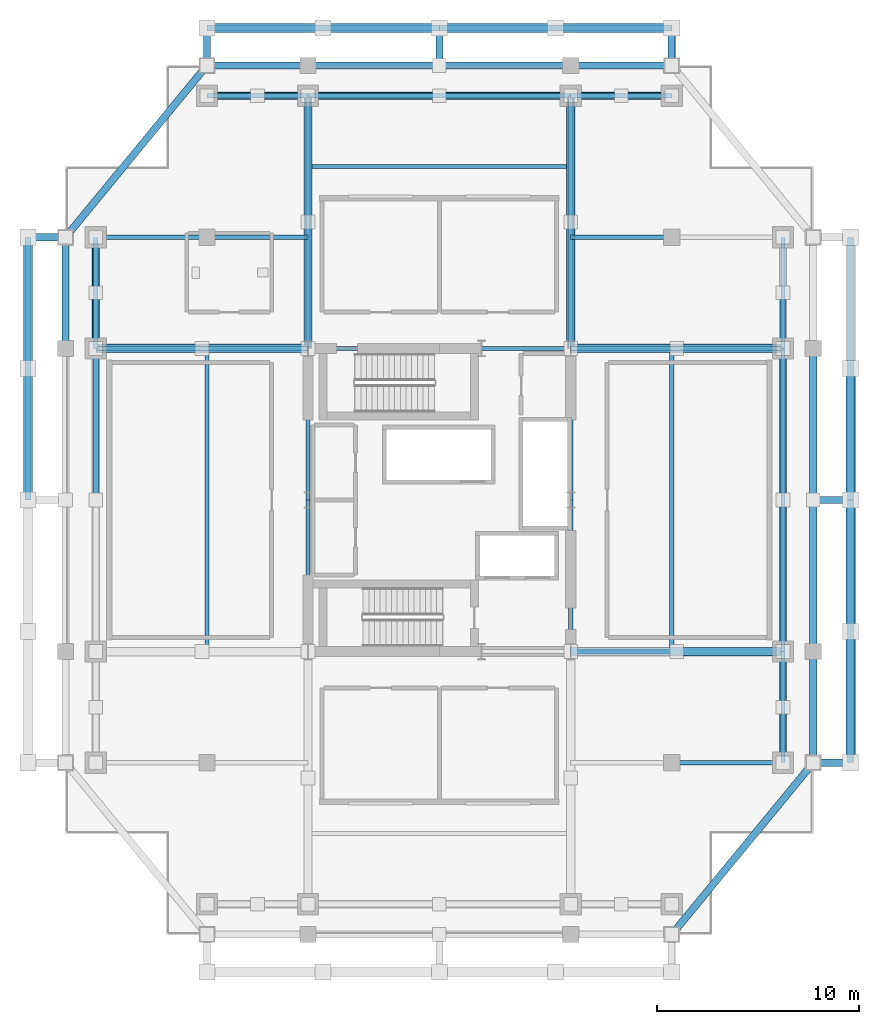
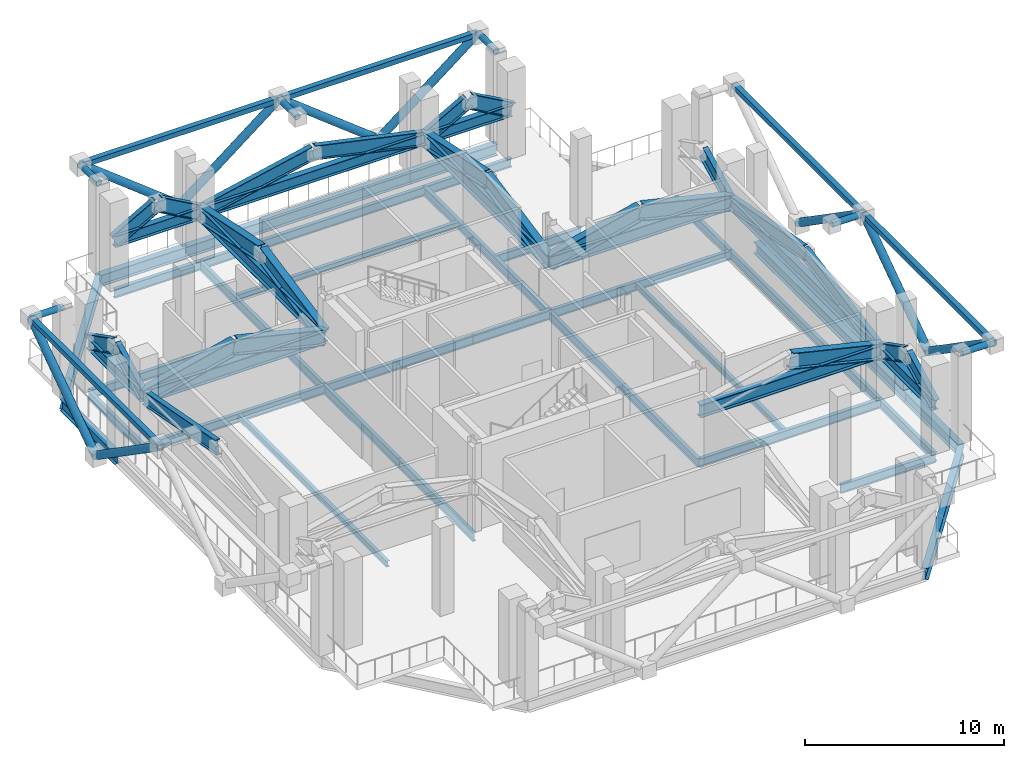
# One storey, part 2 of 9: 54 members, 33 beams.
"""IFC4 building model written with IfcOpenShell, lengths in metres."""

from ifc_helpers import new_model, si_unit, direction, frame, origin, origin_2d, place, context, subcontext, project, spatial, hollow_rectangle, hollow_circle, i_section, extrude, material, material_profile, profile_set, type_object, element, save


model = new_model("IFC4")

# Units and contexts
model_context = context("Model", 3, precision=1e-05, world=origin(), true_north=direction((0.0, 1.0)))
body_context = subcontext(model_context, "Body", "Model", "MODEL_VIEW")
ifc_project = project(units=[si_unit("LENGTHUNIT", "METRE"), si_unit("AREAUNIT", "SQUARE_METRE"), si_unit("VOLUMEUNIT", "CUBIC_METRE"), si_unit("PLANEANGLEUNIT", "RADIAN"), si_unit("MASSUNIT", "GRAM", prefix="KILO")], contexts=[model_context])

# Site, building, storey
site_placement = place(None, origin())
site = spatial("IfcSite", under=ifc_project, at=site_placement, CompositionType="ELEMENT")
building_placement = place(site_placement, origin())
building = spatial("IfcBuilding", under=site, at=building_placement, Name="Barlavira Tower and Art Museum", CompositionType="ELEMENT")
storey_placement = place(building_placement, frame((0.0, 0.0, 212.39990234375)))
storey = spatial("IfcBuildingStorey", under=building, at=storey_placement, Name="L55", CompositionType="ELEMENT", Elevation=212.39990234375)

# Members
ifc_material = material(Name="Steel S355", Category="steel")
ifc_material_profile_1 = material_profile(ifc_material, i_section(OverallWidth=0.35595703125, OverallDepth=0.695068359375, WebThickness=0.014892578125, FlangeThickness=0.023681640625, at=origin_2d()), Name="W690x192.0")
ifc_profile_set_1 = profile_set([ifc_material_profile_1], Name="Steel S355")
member_type_1 = type_object("IfcMemberType", Name="Belt Truss Chord Member W690x192 Steel S355", PredefinedType="CHORD", material=ifc_profile_set_1)
member_1_placement = place(storey_placement, frame((-11.5, 20.0, 2.650146484375), z_axis=(1.0, 0.0, 0.0), x_axis=(0.0, 1.0, 0.0)))
element("IfcMember", 1, at=member_1_placement, inside=storey, type_object=member_type_1, Name="L55 Belt Truss Bottom Chord BN1", PredefinedType="CHORD", context=body_context, shape_type="SweptSolid", body=[
    extrude(i_section(OverallWidth=0.35595703125, OverallDepth=0.695068359375, WebThickness=0.014892578125, FlangeThickness=0.023681640625, at=origin_2d()), origin(), (0.0, 0.0, 1.0), 5.0),
])
member_2_placement = place(storey_placement, frame((-6.5, 20.0, 2.650146484375), z_axis=(1.0, 0.0, 0.0), x_axis=(0.0, 1.0, 0.0)))
element("IfcMember", 2, at=member_2_placement, inside=storey, type_object=member_type_1, Name="L55 Belt Truss Bottom Chord BN2", PredefinedType="CHORD", context=body_context, shape_type="SweptSolid", body=[
    extrude(i_section(OverallWidth=0.35595703125, OverallDepth=0.695068359375, WebThickness=0.014892578125, FlangeThickness=0.023681640625, at=origin_2d()), origin(), (0.0, 0.0, 1.0), 13.0),
])
member_3_placement = place(storey_placement, frame((6.5, 20.0, 2.650146484375), z_axis=(1.0, 0.0, 0.0), x_axis=(0.0, 1.0, 0.0)))
element("IfcMember", 3, at=member_3_placement, inside=storey, type_object=member_type_1, Name="L55 Belt Truss Bottom Chord BN3", PredefinedType="CHORD", context=body_context, shape_type="SweptSolid", body=[
    extrude(i_section(OverallWidth=0.35595703125, OverallDepth=0.695068359375, WebThickness=0.014892578125, FlangeThickness=0.023681640625, at=origin_2d()), origin(), (0.0, 0.0, 1.0), 5.0),
])
for number, where, z_axis, x_axis, name in (
    (4, (-17.0, 7.5, 2.650146484375), (0.0, 1.0, 0.0), (-1.0, 0.0, 0.0), "L55 Belt Truss Bottom Chord BW3"),
    (5, (17.0, -13.0, 2.650146484375), (0.0, 1.0, 0.0), (-1.0, 0.0, 0.0), "L55 Belt Truss Bottom Chord BE1"),
):
    element("IfcMember", number, at=place(storey_placement, frame(where, z_axis=z_axis, x_axis=x_axis)), inside=storey, type_object=member_type_1, Name=name, PredefinedType="CHORD", context=body_context, shape_type="SweptSolid", body=[
        extrude(i_section(OverallWidth=0.35595703125, OverallDepth=0.695068359375, WebThickness=0.014892578125, FlangeThickness=0.023681640625, at=origin_2d()), origin(), (0.0, 0.0, 1.0), 5.5),
    ])
member_4_placement = place(storey_placement, frame((17.0, -7.5, 2.650146484375), z_axis=(0.0, 1.0, 0.0), x_axis=(-1.0, 0.0, 0.0)))
element("IfcMember", 6, at=member_4_placement, inside=storey, type_object=member_type_1, Name="L55 Belt Truss Bottom Chord BE2", PredefinedType="CHORD", context=body_context, shape_type="SweptSolid", body=[
    extrude(i_section(OverallWidth=0.35595703125, OverallDepth=0.695068359375, WebThickness=0.014892578125, FlangeThickness=0.023681640625, at=origin_2d()), origin(), (0.0, 0.0, 1.0), 15.0),
])
ifc_material_profile_2 = material_profile(ifc_material, i_section(OverallWidth=0.2939453125, OverallDepth=0.85107421875, WebThickness=0.017333984375, FlangeThickness=0.0283203125, at=origin_2d()), Name="W840x251.0")
ifc_profile_set_2 = profile_set([ifc_material_profile_2], Name="Steel S355")
member_type_2 = type_object("IfcMemberType", Name="Belt Truss Diagonal Brace W840x251 Steel S355", PredefinedType="BRACE", material=ifc_profile_set_2)
for number, where, z_axis, x_axis, name in (
    (7, (-11.5, 20.0, 2.650146484375), (0.872520545396, 0.0, 0.488577422588), (0.0, 1.0, 0.0), "L55 Belt Truss Diagonal BN1-1"),
    (8, (-9.0, 20.0, 4.050048828125), (0.872520545396, 0.0, -0.488577422588), (0.0, 1.0, 0.0), "L55 Belt Truss Diagonal BN1-2"),
):
    element("IfcMember", number, at=place(storey_placement, frame(where, z_axis=z_axis, x_axis=x_axis)), inside=storey, type_object=member_type_2, Name=name, PredefinedType="BRACE", context=body_context, shape_type="SweptSolid", body=[
        extrude(i_section(OverallWidth=0.2939453125, OverallDepth=0.85107421875, WebThickness=0.017333984375, FlangeThickness=0.0283203125, at=origin_2d()), origin(), (0.0, 0.0, 1.0), 2.865234375),
    ])
for number, where, z_axis, x_axis, name in (
    (9, (-6.5, 20.0, 2.650146484375), (0.977584804239, 0.0, 0.210542039795), (0.0, 1.0, 0.0), "L55 Belt Truss Diagonal BN2-1"),
    (10, (0.0, 20.0, 4.050048828125), (0.977584804239, 0.0, -0.210542039795), (0.0, 1.0, 0.0), "L55 Belt Truss Diagonal BN2-2"),
):
    element("IfcMember", number, at=place(storey_placement, frame(where, z_axis=z_axis, x_axis=x_axis)), inside=storey, type_object=member_type_2, Name=name, PredefinedType="BRACE", context=body_context, shape_type="SweptSolid", body=[
        extrude(i_section(OverallWidth=0.2939453125, OverallDepth=0.85107421875, WebThickness=0.017333984375, FlangeThickness=0.0283203125, at=origin_2d()), origin(), (0.0, 0.0, 1.0), 6.64892578125),
    ])
for number, where, z_axis, x_axis, name in (
    (11, (6.5, 20.0, 2.650146484375), (0.872520545396, 0.0, 0.488577422588), (0.0, 1.0, 0.0), "L55 Belt Truss Diagonal BN3-1"),
    (12, (9.0, 20.0, 4.050048828125), (0.872520545396, 0.0, -0.488577422588), (0.0, 1.0, 0.0), "L55 Belt Truss Diagonal BN3-2"),
):
    element("IfcMember", number, at=place(storey_placement, frame(where, z_axis=z_axis, x_axis=x_axis)), inside=storey, type_object=member_type_2, Name=name, PredefinedType="BRACE", context=body_context, shape_type="SweptSolid", body=[
        extrude(i_section(OverallWidth=0.2939453125, OverallDepth=0.85107421875, WebThickness=0.017333984375, FlangeThickness=0.0283203125, at=origin_2d()), origin(), (0.0, 0.0, 1.0), 2.865234375),
    ])
member_5_placement = place(storey_placement, frame((-17.0, 0.0, 4.050048828125), z_axis=(0.0, 0.983022557528, -0.183484744299), x_axis=(-1.0, 0.0, 0.0)))
element("IfcMember", 13, at=member_5_placement, inside=storey, type_object=member_type_2, Name="L55 Belt Truss Diagonal BW2-2", PredefinedType="BRACE", context=body_context, shape_type="SweptSolid", body=[
    extrude(i_section(OverallWidth=0.2939453125, OverallDepth=0.85107421875, WebThickness=0.017333984375, FlangeThickness=0.0283203125, at=origin_2d()), origin(), (0.0, 0.0, 1.0), 7.629638671875),
])
for number, where, z_axis, x_axis, name in (
    (14, (-17.0, 7.5, 2.650146484375), (0.0, 0.891175910254, 0.453657907439), (-1.0, 0.0, 0.0), "L55 Belt Truss Diagonal BW3-1"),
    (15, (-17.0, 10.25, 4.050048828125), (0.0, 0.891175910254, -0.453657907439), (-1.0, 0.0, 0.0), "L55 Belt Truss Diagonal BW3-2"),
    (16, (17.0, -13.0, 2.650146484375), (0.0, 0.891175910254, 0.453657907439), (-1.0, 0.0, 0.0), "L55 Belt Truss Diagonal BE1-1"),
    (17, (17.0, -10.25, 4.050048828125), (0.0, 0.891175910254, -0.453657907439), (-1.0, 0.0, 0.0), "L55 Belt Truss Diagonal BE1-2"),
):
    element("IfcMember", number, at=place(storey_placement, frame(where, z_axis=z_axis, x_axis=x_axis)), inside=storey, type_object=member_type_2, Name=name, PredefinedType="BRACE", context=body_context, shape_type="SweptSolid", body=[
        extrude(i_section(OverallWidth=0.2939453125, OverallDepth=0.85107421875, WebThickness=0.017333984375, FlangeThickness=0.0283203125, at=origin_2d()), origin(), (0.0, 0.0, 1.0), 3.085693359375),
    ])
for number, where, z_axis, x_axis, name in (
    (18, (17.0, -7.5, 2.650146484375), (0.0, 0.983022557528, 0.183484744299), (-1.0, 0.0, 0.0), "L55 Belt Truss Diagonal BE2-1"),
    (19, (17.0, 0.0, 4.050048828125), (0.0, 0.983022557528, -0.183484744299), (-1.0, 0.0, 0.0), "L55 Belt Truss Diagonal BE2-2"),
):
    element("IfcMember", number, at=place(storey_placement, frame(where, z_axis=z_axis, x_axis=x_axis)), inside=storey, type_object=member_type_2, Name=name, PredefinedType="BRACE", context=body_context, shape_type="SweptSolid", body=[
        extrude(i_section(OverallWidth=0.2939453125, OverallDepth=0.85107421875, WebThickness=0.017333984375, FlangeThickness=0.0283203125, at=origin_2d()), origin(), (0.0, 0.0, 1.0), 7.629638671875),
    ])
member_6_placement = place(storey_placement, frame((17.0, 7.5, 2.650146484375), z_axis=(0.0, 0.891175910254, 0.453657907439), x_axis=(-1.0, 0.0, 0.0)))
element("IfcMember", 20, at=member_6_placement, inside=storey, type_object=member_type_2, Name="L55 Belt Truss Diagonal BE3-1", PredefinedType="BRACE", context=body_context, shape_type="SweptSolid", body=[
    extrude(i_section(OverallWidth=0.2939453125, OverallDepth=0.85107421875, WebThickness=0.017333984375, FlangeThickness=0.0283203125, at=origin_2d()), origin(), (0.0, 0.0, 1.0), 3.085693359375),
])
ifc_material_profile_3 = material_profile(ifc_material, i_section(OverallWidth=0.382080078125, OverallDepth=0.785888671875, WebThickness=0.02001953125, FlangeThickness=0.032958984375, at=origin_2d()), Name="W760x314.0")
ifc_profile_set_3 = profile_set([ifc_material_profile_3], Name="Steel S355")
member_type_3 = type_object("IfcMemberType", Name="Outrigger Truss Chord Member W760x314 Steel S355", PredefinedType="CHORD", material=ifc_profile_set_3)
for number, where, z_axis, x_axis, name in (
    (21, (-6.5, 7.5, 2.650146484375), (-1.0, 0.0, 0.0), (0.0, -1.0, 0.0), "L55 Outrigger Bottom Chord WN"),
    (22, (6.5, -7.5, 2.650146484375), (1.0, 0.0, 0.0), (0.0, 1.0, 0.0), "L55 Outrigger Bottom Chord ES"),
    (23, (6.5, 7.5, 2.650146484375), (1.0, 0.0, 0.0), (0.0, 1.0, 0.0), "L55 Outrigger Bottom Chord EN"),
):
    element("IfcMember", number, at=place(storey_placement, frame(where, z_axis=z_axis, x_axis=x_axis)), inside=storey, type_object=member_type_3, Name=name, PredefinedType="CHORD", context=body_context, shape_type="SweptSolid", body=[
        extrude(i_section(OverallWidth=0.382080078125, OverallDepth=0.785888671875, WebThickness=0.02001953125, FlangeThickness=0.032958984375, at=origin_2d()), origin(), (0.0, 0.0, 1.0), 10.5),
    ])
for number, where, z_axis, x_axis, name in (
    (24, (-6.5, 7.5, 2.650146484375), (0.0, 1.0, 0.0), (-1.0, 0.0, 0.0), "L55 Outrigger Bottom Chord NW"),
    (25, (6.5, 7.5, 2.650146484375), (0.0, 1.0, 0.0), (-1.0, 0.0, 0.0), "L55 Outrigger Bottom Chord NE"),
):
    element("IfcMember", number, at=place(storey_placement, frame(where, z_axis=z_axis, x_axis=x_axis)), inside=storey, type_object=member_type_3, Name=name, PredefinedType="CHORD", context=body_context, shape_type="SweptSolid", body=[
        extrude(i_section(OverallWidth=0.382080078125, OverallDepth=0.785888671875, WebThickness=0.02001953125, FlangeThickness=0.032958984375, at=origin_2d()), origin(), (0.0, 0.0, 1.0), 12.5),
    ])
ifc_material_profile_4 = material_profile(ifc_material, i_section(OverallWidth=0.419921875, OverallDepth=0.9599609375, WebThickness=0.02197265625, FlangeThickness=0.033935546875, at=origin_2d()), Name="W920x387.0")
ifc_profile_set_4 = profile_set([ifc_material_profile_4], Name="Steel S355")
member_type_4 = type_object("IfcMemberType", Name="Outrigger Truss Diagonal Brace W920x387 Steel S355", PredefinedType="BRACE", material=ifc_profile_set_4)
for number, where, z_axis, x_axis, name in (
    (26, (-6.5, 7.5, 2.650146484375), (-0.972806214685, 0.0, 0.231620527306), (0.0, -1.0, 0.0), "L55 Outrigger Diagonal Brace WN-1"),
    (27, (-11.75, 7.5, 3.900146484375), (-0.972806214685, 0.0, -0.231620527306), (0.0, -1.0, 0.0), "L55 Outrigger Diagonal Brace WN-2"),
    (28, (11.75, -7.5, 3.900146484375), (0.972806214685, 0.0, -0.231620527306), (0.0, 1.0, 0.0), "L55 Outrigger Diagonal Brace ES-2"),
    (29, (6.5, 7.5, 2.650146484375), (0.972806214685, 0.0, 0.231620527306), (0.0, 1.0, 0.0), "L55 Outrigger Diagonal Brace EN-1"),
    (30, (11.75, 7.5, 3.900146484375), (0.972806214685, 0.0, -0.231620527306), (0.0, 1.0, 0.0), "L55 Outrigger Diagonal Brace EN-2"),
):
    element("IfcMember", number, at=place(storey_placement, frame(where, z_axis=z_axis, x_axis=x_axis)), inside=storey, type_object=member_type_4, Name=name, PredefinedType="BRACE", context=body_context, shape_type="SweptSolid", body=[
        extrude(i_section(OverallWidth=0.419921875, OverallDepth=0.9599609375, WebThickness=0.02197265625, FlangeThickness=0.033935546875, at=origin_2d()), origin(), (0.0, 0.0, 1.0), 5.396728515625),
    ])
for number, where, z_axis, x_axis, name in (
    (31, (-6.5, 7.5, 2.650146484375), (0.0, 0.980580675691, 0.196116135138), (-1.0, 0.0, 0.0), "L55 Outrigger Diagonal Brace NW-1"),
    (32, (-6.5, 13.75, 3.900146484375), (0.0, 0.980580675691, -0.196116135138), (-1.0, 0.0, 0.0), "L55 Outrigger Diagonal Brace NW-2"),
    (33, (6.5, 7.5, 2.650146484375), (0.0, 0.980580675691, 0.196116135138), (-1.0, 0.0, 0.0), "L55 Outrigger Diagonal Brace NE-1"),
    (34, (6.5, 13.75, 3.900146484375), (0.0, 0.980580675691, -0.196116135138), (-1.0, 0.0, 0.0), "L55 Outrigger Diagonal Brace NE-2"),
):
    element("IfcMember", number, at=place(storey_placement, frame(where, z_axis=z_axis, x_axis=x_axis)), inside=storey, type_object=member_type_4, Name=name, PredefinedType="BRACE", context=body_context, shape_type="SweptSolid", body=[
        extrude(i_section(OverallWidth=0.419921875, OverallDepth=0.9599609375, WebThickness=0.02197265625, FlangeThickness=0.033935546875, at=origin_2d()), origin(), (0.0, 0.0, 1.0), 6.373779296875),
    ])
ifc_material_profile_5 = material_profile(ifc_material, hollow_circle(Radius=0.228515625, WallThickness=0.02001953125, at=origin_2d()), Name="CHS 457.0x20.0")
ifc_profile_set_5 = profile_set([ifc_material_profile_5], Name="Steel S355")
member_type_5 = type_object("IfcMemberType", Name="Pale-Metal Exoskeleton Diagrid Tube CHS 457x20 Steel S355", PredefinedType="BRACE", material=ifc_profile_set_5)
for number, where, z_axis, x_axis, name in (
    (35, (-5.75, 23.35009765625, 0.780029296875), (-0.787505001008, 0.0, 0.616308261658), (0.0, -1.0, 0.0), "L55 Exoskeleton Diagrid Tube N"),
    (36, (-5.75, 23.35009765625, 0.780029296875), (0.787505001008, 0.0, 0.616308261658), (0.0, 1.0, 0.0), "L55 Exoskeleton Diagrid Tube N"),
    (37, (5.75, 23.35009765625, 0.780029296875), (-0.787505001008, 0.0, 0.616308261658), (0.0, -1.0, 0.0), "L55 Exoskeleton Diagrid Tube N"),
    (38, (5.75, 23.35009765625, 0.780029296875), (0.787505001008, 0.0, 0.616308261658), (0.0, 1.0, 0.0), "L55 Exoskeleton Diagrid Tube N"),
):
    element("IfcMember", number, at=place(storey_placement, frame(where, z_axis=z_axis, x_axis=x_axis)), inside=storey, type_object=member_type_5, Name=name, PredefinedType="BRACE", context=body_context, shape_type="SweptSolid", body=[
        extrude(hollow_circle(Radius=0.228515625, WallThickness=0.02001953125, at=origin_2d()), origin(), (0.0, 0.0, 1.0), 7.301513671875),
    ])
for number, where, z_axis, x_axis, name in (
    (39, (-20.35009765625, 6.5, 0.780029296875), (0.0, -0.822192191644, 0.56920997883), (1.0, 0.0, 0.0), "L55 Exoskeleton Diagrid Tube W"),
    (40, (-20.35009765625, 6.5, 0.780029296875), (0.0, 0.822192191644, 0.56920997883), (-1.0, 0.0, 0.0), "L55 Exoskeleton Diagrid Tube W"),
    (41, (20.35009765625, -6.5, 0.780029296875), (0.0, -0.822192191644, 0.56920997883), (1.0, 0.0, 0.0), "L55 Exoskeleton Diagrid Tube E"),
    (42, (20.35009765625, -6.5, 0.780029296875), (0.0, 0.822192191644, 0.56920997883), (-1.0, 0.0, 0.0), "L55 Exoskeleton Diagrid Tube E"),
    (43, (20.35009765625, 6.5, 0.780029296875), (0.0, -0.822192191644, 0.56920997883), (1.0, 0.0, 0.0), "L55 Exoskeleton Diagrid Tube E"),
):
    element("IfcMember", number, at=place(storey_placement, frame(where, z_axis=z_axis, x_axis=x_axis)), inside=storey, type_object=member_type_5, Name=name, PredefinedType="BRACE", context=body_context, shape_type="SweptSolid", body=[
        extrude(hollow_circle(Radius=0.228515625, WallThickness=0.02001953125, at=origin_2d()), origin(), (0.0, 0.0, 1.0), 7.90576171875),
    ])
ifc_material_profile_6 = material_profile(ifc_material, hollow_circle(Radius=0.177734375, WallThickness=0.01611328125, at=origin_2d()), Name="CHS 355.6x16.0")
ifc_profile_set_6 = profile_set([ifc_material_profile_6], Name="Steel S355")
member_type_6 = type_object("IfcMemberType", Name="Pale-Metal Exoskeleton Tie Strut CHS 356x16 Steel S355", PredefinedType="STRUT", material=ifc_profile_set_6)
for number, where, z_axis, x_axis, name in (
    (44, (-11.5, 23.35009765625, 5.280029296875), (0.0, -1.0, 0.0), (1.0, 0.0, 0.0), "L55 Exoskeleton Top Tie Strut N1"),
    (45, (0.0, 23.35009765625, 5.280029296875), (0.0, -1.0, 0.0), (1.0, 0.0, 0.0), "L55 Exoskeleton Top Tie Strut N2"),
    (46, (11.5, 23.35009765625, 5.280029296875), (0.0, -1.0, 0.0), (1.0, 0.0, 0.0), "L55 Exoskeleton Top Tie Strut N3"),
    (47, (-20.35009765625, 13.0, 5.280029296875), (1.0, 0.0, 0.0), (0.0, 1.0, 0.0), "L55 Exoskeleton Top Tie Strut W3"),
    (48, (20.35009765625, -13.0, 5.280029296875), (-1.0, 0.0, 0.0), (0.0, -1.0, 0.0), "L55 Exoskeleton Top Tie Strut E1"),
    (49, (20.35009765625, 0.0, 5.280029296875), (-1.0, 0.0, 0.0), (0.0, -1.0, 0.0), "L55 Exoskeleton Top Tie Strut E2"),
):
    element("IfcMember", number, at=place(storey_placement, frame(where, z_axis=z_axis, x_axis=x_axis)), inside=storey, type_object=member_type_6, Name=name, PredefinedType="STRUT", context=body_context, shape_type="SweptSolid", body=[
        extrude(hollow_circle(Radius=0.177734375, WallThickness=0.01611328125, at=origin_2d()), origin(), (0.0, 0.0, 1.0), 1.85009765625),
    ])
ifc_material_profile_7 = material_profile(ifc_material, hollow_rectangle(XDim=0.300048828125, YDim=0.300048828125, WallThickness=0.01611328125, at=origin_2d()), Name="SHS 300x300x16.0")
ifc_profile_set_7 = profile_set([ifc_material_profile_7], Name="Steel S355")
member_type_7 = type_object("IfcMemberType", Name="Pale-Metal Upper Ring Strut SHS 300x300x16 Steel S355", PredefinedType="STRUT", material=ifc_profile_set_7)
for number, where, z_axis, x_axis, name in (
    (50, (-11.5, 23.35009765625, 5.280029296875), (1.0, 0.0, 0.0), (0.0, 1.0, 0.0), "L55 Exoskeleton Top Ring Strut N"),
    (51, (0.0, 23.35009765625, 5.280029296875), (1.0, 0.0, 0.0), (0.0, 1.0, 0.0), "L55 Exoskeleton Top Ring Strut N"),
):
    element("IfcMember", number, at=place(storey_placement, frame(where, z_axis=z_axis, x_axis=x_axis)), inside=storey, type_object=member_type_7, Name=name, PredefinedType="STRUT", context=body_context, shape_type="SweptSolid", body=[
        extrude(hollow_rectangle(XDim=0.300048828125, YDim=0.300048828125, WallThickness=0.01611328125, at=origin_2d()), origin(), (0.0, 0.0, 1.0), 11.5),
    ])
for number, where, z_axis, x_axis, name in (
    (52, (-20.35009765625, 0.0, 5.280029296875), (0.0, 1.0, 0.0), (-1.0, 0.0, 0.0), "L55 Exoskeleton Top Ring Strut W"),
    (53, (20.35009765625, -13.0, 5.280029296875), (0.0, 1.0, 0.0), (-1.0, 0.0, 0.0), "L55 Exoskeleton Top Ring Strut E"),
    (54, (20.35009765625, 0.0, 5.280029296875), (0.0, 1.0, 0.0), (-1.0, 0.0, 0.0), "L55 Exoskeleton Top Ring Strut E"),
):
    element("IfcMember", number, at=place(storey_placement, frame(where, z_axis=z_axis, x_axis=x_axis)), inside=storey, type_object=member_type_7, Name=name, PredefinedType="STRUT", context=body_context, shape_type="SweptSolid", body=[
        extrude(hollow_rectangle(XDim=0.300048828125, YDim=0.300048828125, WallThickness=0.01611328125, at=origin_2d()), origin(), (0.0, 0.0, 1.0), 13.0),
    ])

# Beams
ifc_material_profile_8 = material_profile(ifc_material, i_section(OverallWidth=0.35595703125, OverallDepth=0.695068359375, WebThickness=0.014892578125, FlangeThickness=0.023681640625, at=origin_2d()), Name="W690x192.0")
ifc_profile_set_8 = profile_set([ifc_material_profile_8], Name="Steel S355")
beam_type_1 = type_object("IfcBeamType", Name="Wind Floor Perimeter Edge Spandrel W690x192 Steel S355", PredefinedType="SPANDREL", material=ifc_profile_set_8)
beam_1_placement = place(storey_placement, frame((11.5, -21.5, -0.6474609375), z_axis=(0.635707252861, 0.771930235617, 0.0), x_axis=(-0.771930235617, 0.635707252861, 0.0)))
element("IfcBeam", 55, at=beam_1_placement, inside=storey, type_object=beam_type_1, Name="L55 Spandrel 4", PredefinedType="SPANDREL", context=body_context, shape_type="SweptSolid", body=[
    extrude(i_section(OverallWidth=0.35595703125, OverallDepth=0.695068359375, WebThickness=0.014892578125, FlangeThickness=0.023681640625, at=origin_2d()), origin(), (0.0, 0.0, 1.0), 11.011474609375),
])
beam_2_placement = place(storey_placement, frame((18.5, -13.0, -0.6474609375), z_axis=(0.0, 1.0, 0.0), x_axis=(-1.0, 0.0, 0.0)))
element("IfcBeam", 56, at=beam_2_placement, inside=storey, type_object=beam_type_1, Name="L55 Spandrel 5", PredefinedType="SPANDREL", context=body_context, shape_type="SweptSolid", body=[
    extrude(i_section(OverallWidth=0.35595703125, OverallDepth=0.695068359375, WebThickness=0.014892578125, FlangeThickness=0.023681640625, at=origin_2d()), origin(), (0.0, 0.0, 1.0), 5.5),
])
beam_3_placement = place(storey_placement, frame((18.5, -7.5, -0.6474609375), z_axis=(0.0, 1.0, 0.0), x_axis=(-1.0, 0.0, 0.0)))
element("IfcBeam", 57, at=beam_3_placement, inside=storey, type_object=beam_type_1, Name="L55 Spandrel 6", PredefinedType="SPANDREL", context=body_context, shape_type="SweptSolid", body=[
    extrude(i_section(OverallWidth=0.35595703125, OverallDepth=0.695068359375, WebThickness=0.014892578125, FlangeThickness=0.023681640625, at=origin_2d()), origin(), (0.0, 0.0, 1.0), 15.0),
])
beam_4_placement = place(storey_placement, frame((6.5, 21.5, -0.6474609375), z_axis=(1.0, 0.0, 0.0), x_axis=(0.0, 1.0, 0.0)))
element("IfcBeam", 58, at=beam_4_placement, inside=storey, type_object=beam_type_1, Name="L55 Spandrel 9", PredefinedType="SPANDREL", context=body_context, shape_type="SweptSolid", body=[
    extrude(i_section(OverallWidth=0.35595703125, OverallDepth=0.695068359375, WebThickness=0.014892578125, FlangeThickness=0.023681640625, at=origin_2d()), origin(), (0.0, 0.0, 1.0), 5.0),
])
beam_5_placement = place(storey_placement, frame((-6.5, 21.5, -0.6474609375), z_axis=(1.0, 0.0, 0.0), x_axis=(0.0, 1.0, 0.0)))
element("IfcBeam", 59, at=beam_5_placement, inside=storey, type_object=beam_type_1, Name="L55 Spandrel 10", PredefinedType="SPANDREL", context=body_context, shape_type="SweptSolid", body=[
    extrude(i_section(OverallWidth=0.35595703125, OverallDepth=0.695068359375, WebThickness=0.014892578125, FlangeThickness=0.023681640625, at=origin_2d()), origin(), (0.0, 0.0, 1.0), 13.0),
])
beam_6_placement = place(storey_placement, frame((-11.5, 21.5, -0.6474609375), z_axis=(1.0, 0.0, 0.0), x_axis=(0.0, 1.0, 0.0)))
element("IfcBeam", 60, at=beam_6_placement, inside=storey, type_object=beam_type_1, Name="L55 Spandrel 11", PredefinedType="SPANDREL", context=body_context, shape_type="SweptSolid", body=[
    extrude(i_section(OverallWidth=0.35595703125, OverallDepth=0.695068359375, WebThickness=0.014892578125, FlangeThickness=0.023681640625, at=origin_2d()), origin(), (0.0, 0.0, 1.0), 5.0),
])
beam_7_placement = place(storey_placement, frame((-11.5, 21.5, -0.6474609375), z_axis=(-0.635707252861, -0.771930235617, 0.0), x_axis=(0.771930235617, -0.635707252861, 0.0)))
element("IfcBeam", 61, at=beam_7_placement, inside=storey, type_object=beam_type_1, Name="L55 Spandrel 12", PredefinedType="SPANDREL", context=body_context, shape_type="SweptSolid", body=[
    extrude(i_section(OverallWidth=0.35595703125, OverallDepth=0.695068359375, WebThickness=0.014892578125, FlangeThickness=0.023681640625, at=origin_2d()), origin(), (0.0, 0.0, 1.0), 11.011474609375),
])
beam_8_placement = place(storey_placement, frame((-18.5, 7.5, -0.6474609375), z_axis=(0.0, 1.0, 0.0), x_axis=(-1.0, 0.0, 0.0)))
element("IfcBeam", 62, at=beam_8_placement, inside=storey, type_object=beam_type_1, Name="L55 Spandrel 13", PredefinedType="SPANDREL", context=body_context, shape_type="SweptSolid", body=[
    extrude(i_section(OverallWidth=0.35595703125, OverallDepth=0.695068359375, WebThickness=0.014892578125, FlangeThickness=0.023681640625, at=origin_2d()), origin(), (0.0, 0.0, 1.0), 5.5),
])
ifc_material_profile_9 = material_profile(ifc_material, i_section(OverallWidth=0.205078125, OverallDepth=0.35400390625, WebThickness=0.009521484375, FlangeThickness=0.016845703125, at=origin_2d()), Name="W360x79.0")
ifc_profile_set_9 = profile_set([ifc_material_profile_9], Name="Steel S355")
beam_type_2 = type_object("IfcBeamType", Name="Zone 3 Composite Floor Joist W360x79 Steel S355", PredefinedType="JOIST", material=ifc_profile_set_9)
beam_9_placement = place(storey_placement, frame((-6.5, 16.5, -0.476806640625), z_axis=(1.0, 0.0, 0.0), x_axis=(0.0, 1.0, 0.0)))
element("IfcBeam", 63, at=beam_9_placement, inside=storey, type_object=beam_type_2, Name="L55 Joist C2", PredefinedType="JOIST", context=body_context, shape_type="SweptSolid", body=[
    extrude(i_section(OverallWidth=0.205078125, OverallDepth=0.35400390625, WebThickness=0.009521484375, FlangeThickness=0.016845703125, at=origin_2d()), origin(), (0.0, 0.0, 1.0), 13.0),
])
for number, where, z_axis, x_axis, name in (
    (64, (-11.5, -7.5, -0.476806640625), (0.0, 1.0, 0.0), (-1.0, 0.0, 0.0), "L55 Joist W1"),
    (65, (11.5, -7.5, -0.476806640625), (0.0, 1.0, 0.0), (-1.0, 0.0, 0.0), "L55 Joist W2"),
):
    element("IfcBeam", number, at=place(storey_placement, frame(where, z_axis=z_axis, x_axis=x_axis)), inside=storey, type_object=beam_type_2, Name=name, PredefinedType="JOIST", context=body_context, shape_type="SweptSolid", body=[
        extrude(i_section(OverallWidth=0.205078125, OverallDepth=0.35400390625, WebThickness=0.009521484375, FlangeThickness=0.016845703125, at=origin_2d()), origin(), (0.0, 0.0, 1.0), 15.0),
    ])
ifc_material_profile_10 = material_profile(ifc_material, i_section(OverallWidth=0.2109375, OverallDepth=0.5390625, WebThickness=0.01171875, FlangeThickness=0.018798828125, at=origin_2d()), Name="W530x109.0")
ifc_profile_set_10 = profile_set([ifc_material_profile_10], Name="Steel S355")
beam_type_3 = type_object("IfcBeamType", Name="Zone 3-4 Primary Floor Girder W530x109 Steel S355", PredefinedType="BEAM", material=ifc_profile_set_10)
beam_10_placement = place(storey_placement, frame((-6.5, 7.5, -0.5693359375), z_axis=(1.0, 0.0, 0.0), x_axis=(0.0, 1.0, 0.0)))
element("IfcBeam", 66, at=beam_10_placement, inside=storey, type_object=beam_type_3, Name="L55 Girder C-N1", PredefinedType="BEAM", context=body_context, shape_type="SweptSolid", body=[
    extrude(i_section(OverallWidth=0.2109375, OverallDepth=0.5390625, WebThickness=0.01171875, FlangeThickness=0.018798828125, at=origin_2d()), origin(), (0.0, 0.0, 1.0), 8.580078125),
])
beam_11_placement = place(storey_placement, frame((2.080078125, 7.5, -0.5693359375), z_axis=(1.0, 0.0, 0.0), x_axis=(0.0, 1.0, 0.0)))
element("IfcBeam", 67, at=beam_11_placement, inside=storey, type_object=beam_type_3, Name="L55 Girder C-N2", PredefinedType="BEAM", context=body_context, shape_type="SweptSolid", body=[
    extrude(i_section(OverallWidth=0.2109375, OverallDepth=0.5390625, WebThickness=0.01171875, FlangeThickness=0.018798828125, at=origin_2d()), origin(), (0.0, 0.0, 1.0), 4.419921875),
])
for number, where, z_axis, x_axis, name in (
    (68, (-6.5, -7.5, -0.5693359375), (0.0, 1.0, 0.0), (-1.0, 0.0, 0.0), "L55 Girder C-W1"),
    (69, (-6.5, 0.0, -0.5693359375), (0.0, 1.0, 0.0), (-1.0, 0.0, 0.0), "L55 Girder C-W2"),
    (70, (6.5, -7.5, -0.5693359375), (0.0, 1.0, 0.0), (-1.0, 0.0, 0.0), "L55 Girder C-E1"),
    (71, (6.5, 0.0, -0.5693359375), (0.0, 1.0, 0.0), (-1.0, 0.0, 0.0), "L55 Girder C-E2"),
):
    element("IfcBeam", number, at=place(storey_placement, frame(where, z_axis=z_axis, x_axis=x_axis)), inside=storey, type_object=beam_type_3, Name=name, PredefinedType="BEAM", context=body_context, shape_type="SweptSolid", body=[
        extrude(i_section(OverallWidth=0.2109375, OverallDepth=0.5390625, WebThickness=0.01171875, FlangeThickness=0.018798828125, at=origin_2d()), origin(), (0.0, 0.0, 1.0), 7.5),
    ])
beam_12_placement = place(storey_placement, frame((-11.5, 20.0, -0.5693359375), z_axis=(1.0, 0.0, 0.0), x_axis=(0.0, 1.0, 0.0)))
element("IfcBeam", 72, at=beam_12_placement, inside=storey, type_object=beam_type_3, Name="L55 Girder M-N1", PredefinedType="BEAM", context=body_context, shape_type="SweptSolid", body=[
    extrude(i_section(OverallWidth=0.2109375, OverallDepth=0.5390625, WebThickness=0.01171875, FlangeThickness=0.018798828125, at=origin_2d()), origin(), (0.0, 0.0, 1.0), 5.0),
])
beam_13_placement = place(storey_placement, frame((-6.5, 20.0, -0.5693359375), z_axis=(1.0, 0.0, 0.0), x_axis=(0.0, 1.0, 0.0)))
element("IfcBeam", 73, at=beam_13_placement, inside=storey, type_object=beam_type_3, Name="L55 Girder M-N2", PredefinedType="BEAM", context=body_context, shape_type="SweptSolid", body=[
    extrude(i_section(OverallWidth=0.2109375, OverallDepth=0.5390625, WebThickness=0.01171875, FlangeThickness=0.018798828125, at=origin_2d()), origin(), (0.0, 0.0, 1.0), 13.0),
])
beam_14_placement = place(storey_placement, frame((6.5, 20.0, -0.5693359375), z_axis=(1.0, 0.0, 0.0), x_axis=(0.0, 1.0, 0.0)))
element("IfcBeam", 74, at=beam_14_placement, inside=storey, type_object=beam_type_3, Name="L55 Girder M-N3", PredefinedType="BEAM", context=body_context, shape_type="SweptSolid", body=[
    extrude(i_section(OverallWidth=0.2109375, OverallDepth=0.5390625, WebThickness=0.01171875, FlangeThickness=0.018798828125, at=origin_2d()), origin(), (0.0, 0.0, 1.0), 5.0),
])
for number, where, z_axis, x_axis, name in (
    (75, (-17.0, 7.5, -0.5693359375), (0.0, 1.0, 0.0), (-1.0, 0.0, 0.0), "L55 Girder M-W3"),
    (76, (17.0, -13.0, -0.5693359375), (0.0, 1.0, 0.0), (-1.0, 0.0, 0.0), "L55 Girder M-E1"),
):
    element("IfcBeam", number, at=place(storey_placement, frame(where, z_axis=z_axis, x_axis=x_axis)), inside=storey, type_object=beam_type_3, Name=name, PredefinedType="BEAM", context=body_context, shape_type="SweptSolid", body=[
        extrude(i_section(OverallWidth=0.2109375, OverallDepth=0.5390625, WebThickness=0.01171875, FlangeThickness=0.018798828125, at=origin_2d()), origin(), (0.0, 0.0, 1.0), 5.5),
    ])
beam_15_placement = place(storey_placement, frame((17.0, -7.5, -0.5693359375), z_axis=(0.0, 1.0, 0.0), x_axis=(-1.0, 0.0, 0.0)))
element("IfcBeam", 77, at=beam_15_placement, inside=storey, type_object=beam_type_3, Name="L55 Girder M-E2", PredefinedType="BEAM", context=body_context, shape_type="SweptSolid", body=[
    extrude(i_section(OverallWidth=0.2109375, OverallDepth=0.5390625, WebThickness=0.01171875, FlangeThickness=0.018798828125, at=origin_2d()), origin(), (0.0, 0.0, 1.0), 15.0),
])
beam_16_placement = place(storey_placement, frame((17.0, 7.5, -0.5693359375), z_axis=(0.0, 1.0, 0.0), x_axis=(-1.0, 0.0, 0.0)))
element("IfcBeam", 78, at=beam_16_placement, inside=storey, type_object=beam_type_3, Name="L55 Girder M-E3", PredefinedType="BEAM", context=body_context, shape_type="SweptSolid", body=[
    extrude(i_section(OverallWidth=0.2109375, OverallDepth=0.5390625, WebThickness=0.01171875, FlangeThickness=0.018798828125, at=origin_2d()), origin(), (0.0, 0.0, 1.0), 5.5),
])
for number, where, z_axis, x_axis, name in (
    (79, (-6.5, 7.5, -0.5693359375), (0.0, 1.0, 0.0), (-1.0, 0.0, 0.0), "L55 Girder R-N1"),
    (80, (6.5, 7.5, -0.5693359375), (0.0, 1.0, 0.0), (-1.0, 0.0, 0.0), "L55 Girder R-N2"),
):
    element("IfcBeam", number, at=place(storey_placement, frame(where, z_axis=z_axis, x_axis=x_axis)), inside=storey, type_object=beam_type_3, Name=name, PredefinedType="BEAM", context=body_context, shape_type="SweptSolid", body=[
        extrude(i_section(OverallWidth=0.2109375, OverallDepth=0.5390625, WebThickness=0.01171875, FlangeThickness=0.018798828125, at=origin_2d()), origin(), (0.0, 0.0, 1.0), 12.5),
    ])
for number, where, z_axis, x_axis, name in (
    (81, (-17.0, 7.5, -0.5693359375), (1.0, 0.0, 0.0), (0.0, 1.0, 0.0), "L55 Girder R-W2"),
    (82, (6.5, -7.5, -0.5693359375), (1.0, 0.0, 0.0), (0.0, 1.0, 0.0), "L55 Girder R-E1"),
    (83, (6.5, 7.5, -0.5693359375), (1.0, 0.0, 0.0), (0.0, 1.0, 0.0), "L55 Girder R-E2"),
):
    element("IfcBeam", number, at=place(storey_placement, frame(where, z_axis=z_axis, x_axis=x_axis)), inside=storey, type_object=beam_type_3, Name=name, PredefinedType="BEAM", context=body_context, shape_type="SweptSolid", body=[
        extrude(i_section(OverallWidth=0.2109375, OverallDepth=0.5390625, WebThickness=0.01171875, FlangeThickness=0.018798828125, at=origin_2d()), origin(), (0.0, 0.0, 1.0), 10.5),
    ])
for number, where, z_axis, x_axis, name in (
    (84, (11.5, -13.0, -0.5693359375), (1.0, 0.0, 0.0), (0.0, 1.0, 0.0), "L55 Girder I-S4"),
    (85, (-17.0, 13.0, -0.5693359375), (1.0, 0.0, 0.0), (0.0, 1.0, 0.0), "L55 Girder I-N1"),
):
    element("IfcBeam", number, at=place(storey_placement, frame(where, z_axis=z_axis, x_axis=x_axis)), inside=storey, type_object=beam_type_3, Name=name, PredefinedType="BEAM", context=body_context, shape_type="SweptSolid", body=[
        extrude(i_section(OverallWidth=0.2109375, OverallDepth=0.5390625, WebThickness=0.01171875, FlangeThickness=0.018798828125, at=origin_2d()), origin(), (0.0, 0.0, 1.0), 5.5),
    ])
for number, where, z_axis, x_axis, name in (
    (86, (-11.5, 13.0, -0.5693359375), (1.0, 0.0, 0.0), (0.0, 1.0, 0.0), "L55 Girder I-N2"),
    (87, (6.5, 13.0, -0.5693359375), (1.0, 0.0, 0.0), (0.0, 1.0, 0.0), "L55 Girder I-N3"),
):
    element("IfcBeam", number, at=place(storey_placement, frame(where, z_axis=z_axis, x_axis=x_axis)), inside=storey, type_object=beam_type_3, Name=name, PredefinedType="BEAM", context=body_context, shape_type="SweptSolid", body=[
        extrude(i_section(OverallWidth=0.2109375, OverallDepth=0.5390625, WebThickness=0.01171875, FlangeThickness=0.018798828125, at=origin_2d()), origin(), (0.0, 0.0, 1.0), 5.0),
    ])

save(model, "model.ifc")
